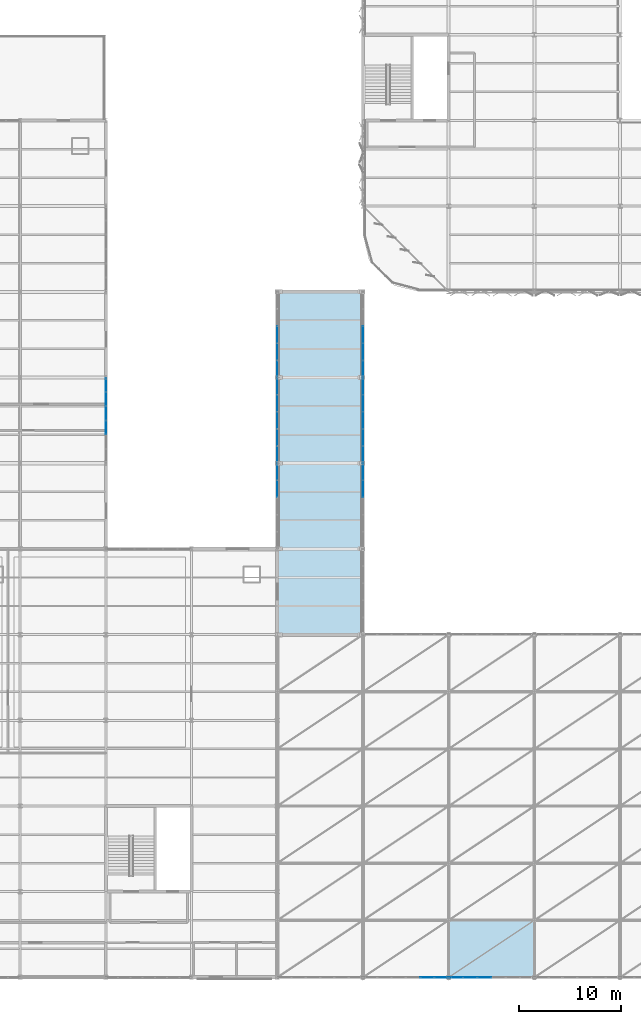
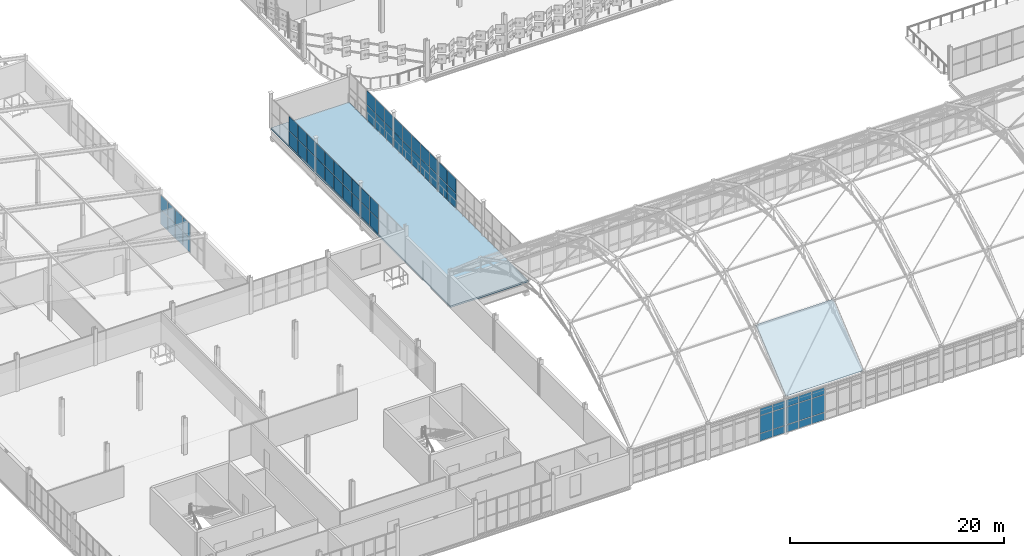
# One storey, part 137 of 184: 63 plates, 2 slabs, 10 elements without a shape of their own.
"""IFC4 building model written with IfcOpenShell, lengths in metres."""

from ifc_helpers import new_model, si_unit, direction, frame, origin, origin_2d, place, context, subcontext, project, spatial, polyline, rectangle, outline, extrude, material, layer, layer_set, type_object, element, aggregate, save


model = new_model("IFC4")

# Units and contexts
model_context = context("Model", 3, precision=1e-05, world=origin(), true_north=direction((0.0, 1.0)))
body_context = subcontext(model_context, "Body", "Model", "MODEL_VIEW")
ifc_project = project(units=[si_unit("LENGTHUNIT", "METRE"), si_unit("AREAUNIT", "SQUARE_METRE"), si_unit("VOLUMEUNIT", "CUBIC_METRE"), si_unit("PLANEANGLEUNIT", "RADIAN"), si_unit("MASSUNIT", "GRAM", prefix="KILO")], contexts=[model_context])

# Site, building, storey
site_placement = place(None, origin())
site = spatial("IfcSite", under=ifc_project, at=site_placement, CompositionType="ELEMENT")
building_placement = place(site_placement, origin())
building = spatial("IfcBuilding", under=site, at=building_placement, Name="Qalvenar Corner Mobility Hub", CompositionType="ELEMENT")
storey_placement = place(building_placement, frame((0.0, 0.0, 9.0)))
storey = spatial("IfcBuildingStorey", under=building, at=storey_placement, Name="L02", CompositionType="ELEMENT", Elevation=9.0)

# Curtain wall, plates
ifc_material_1 = material(Name="Anodised Aluminium and Low-E Glazing", Category="aluminium")
ifc_layer_1 = layer(ifc_material_1, 0.179931640625)
ifc_layer_set_1 = layer_set([ifc_layer_1], Name="Anodised Aluminium and Low-E Glazing")
curtain_wall_type_1 = type_object("IfcCurtainWallType", Name="CW-CONC-84X42", PredefinedType="NOTDEFINED", material=ifc_layer_set_1)
curtain_wall_1_placement = place(storey_placement, origin())
curtain_wall_1 = element("IfcCurtainWall", 1, at=curtain_wall_1_placement, inside=storey, type_object=curtain_wall_type_1, Name="Glazed Curtain Wall CW-V1-L02-S1", PredefinedType="NOTDEFINED")
ifc_material_2 = material(Name="Solar-Control Low-E Double Glazing", Category="glass")
ifc_layer_2 = layer(ifc_material_2, 0.028076171875)
ifc_layer_set_2 = layer_set([ifc_layer_2], Name="Solar-Control Low-E Double Glazing")
plate_type = type_object("IfcPlateType", Name="PLT-CWP-GLZ1", PredefinedType="CURTAIN_PANEL", material=ifc_layer_set_2)
plate_1_placement = place(storey_placement, frame((65.10009765625, 0.0, 0.05517578125), z_axis=(0.0, 0.0, 1.0), x_axis=(1.0, 0.0, 0.0)))
plate_1 = element("IfcPlate", 2, at=plate_1_placement, type_object=plate_type, Name="CW-02 panel 5.1", PredefinedType="CURTAIN_PANEL", context=body_context, shape_type="SweptSolid", body=[
    extrude(rectangle(XDim=1.340087890625, YDim=0.028076171875, at=origin_2d()), origin(), (0.0, 0.0, 1.0), 0.8173828125),
])
plate_2_placement = place(storey_placement, frame((65.10009765625, 0.0, 0.927490234375), z_axis=(0.0, 0.0, 1.0), x_axis=(1.0, 0.0, 0.0)))
plate_2 = element("IfcPlate", 3, at=plate_2_placement, type_object=plate_type, Name="CW-02 panel 5.2", PredefinedType="CURTAIN_PANEL", context=body_context, shape_type="SweptSolid", body=[
    extrude(rectangle(XDim=1.340087890625, YDim=0.028076171875, at=origin_2d()), origin(), (0.0, 0.0, 1.0), 1.9951171875),
])
plate_3_placement = place(storey_placement, frame((65.10009765625, 0.0, 2.9775390625), z_axis=(0.0, 0.0, 1.0), x_axis=(1.0, 0.0, 0.0)))
plate_3 = element("IfcPlate", 4, at=plate_3_placement, type_object=plate_type, Name="CW-02 panel 5.3", PredefinedType="CURTAIN_PANEL", context=body_context, shape_type="SweptSolid", body=[
    extrude(rectangle(XDim=1.340087890625, YDim=0.028076171875, at=origin_2d()), origin(), (0.0, 0.0, 1.0), 0.767578125),
])
plate_4_placement = place(storey_placement, frame((66.485107421875, 0.0, 0.05517578125), z_axis=(0.0, 0.0, 1.0), x_axis=(1.0, 0.0, 0.0)))
plate_4 = element("IfcPlate", 5, at=plate_4_placement, type_object=plate_type, Name="CW-02 panel 6.1", PredefinedType="CURTAIN_PANEL", context=body_context, shape_type="SweptSolid", body=[
    extrude(rectangle(XDim=1.31005859375, YDim=0.028076171875, at=origin_2d()), origin(), (0.0, 0.0, 1.0), 0.8173828125),
])
plate_5_placement = place(storey_placement, frame((66.485107421875, 0.0, 0.927490234375), z_axis=(0.0, 0.0, 1.0), x_axis=(1.0, 0.0, 0.0)))
plate_5 = element("IfcPlate", 6, at=plate_5_placement, type_object=plate_type, Name="CW-02 panel 6.2", PredefinedType="CURTAIN_PANEL", context=body_context, shape_type="SweptSolid", body=[
    extrude(rectangle(XDim=1.31005859375, YDim=0.028076171875, at=origin_2d()), origin(), (0.0, 0.0, 1.0), 1.9951171875),
])
plate_6_placement = place(storey_placement, frame((66.485107421875, 0.0, 2.9775390625), z_axis=(0.0, 0.0, 1.0), x_axis=(1.0, 0.0, 0.0)))
plate_6 = element("IfcPlate", 7, at=plate_6_placement, type_object=plate_type, Name="CW-02 panel 6.3", PredefinedType="CURTAIN_PANEL", context=body_context, shape_type="SweptSolid", body=[
    extrude(rectangle(XDim=1.31005859375, YDim=0.028076171875, at=origin_2d()), origin(), (0.0, 0.0, 1.0), 0.767578125),
])
aggregate(curtain_wall_1, [plate_1, plate_2, plate_3, plate_4, plate_5, plate_6])

curtain_wall_2_placement = place(storey_placement, origin())
curtain_wall_2 = element("IfcCurtainWall", 8, at=curtain_wall_2_placement, inside=storey, type_object=curtain_wall_type_1, Name="Glazed Curtain Wall CW-V1-L02-S2", PredefinedType="NOTDEFINED")
plate_7_placement = place(storey_placement, frame((67.9150390625, 0.0, 0.05517578125), z_axis=(0.0, 0.0, 1.0), x_axis=(1.0, 0.0, 0.0)))
plate_7 = element("IfcPlate", 9, at=plate_7_placement, type_object=plate_type, Name="CW-02 panel 1.1", PredefinedType="CURTAIN_PANEL", context=body_context, shape_type="SweptSolid", body=[
    extrude(rectangle(XDim=1.31005859375, YDim=0.028076171875, at=origin_2d()), origin(), (0.0, 0.0, 1.0), 0.8173828125),
])
plate_8_placement = place(storey_placement, frame((67.9150390625, 0.0, 0.927490234375), z_axis=(0.0, 0.0, 1.0), x_axis=(1.0, 0.0, 0.0)))
plate_8 = element("IfcPlate", 10, at=plate_8_placement, type_object=plate_type, Name="CW-02 panel 1.2", PredefinedType="CURTAIN_PANEL", context=body_context, shape_type="SweptSolid", body=[
    extrude(rectangle(XDim=1.31005859375, YDim=0.028076171875, at=origin_2d()), origin(), (0.0, 0.0, 1.0), 1.9951171875),
])
plate_9_placement = place(storey_placement, frame((67.9150390625, 0.0, 2.9775390625), z_axis=(0.0, 0.0, 1.0), x_axis=(1.0, 0.0, 0.0)))
plate_9 = element("IfcPlate", 11, at=plate_9_placement, type_object=plate_type, Name="CW-02 panel 1.3", PredefinedType="CURTAIN_PANEL", context=body_context, shape_type="SweptSolid", body=[
    extrude(rectangle(XDim=1.31005859375, YDim=0.028076171875, at=origin_2d()), origin(), (0.0, 0.0, 1.0), 0.767578125),
])
plate_10_placement = place(storey_placement, frame((69.300048828125, 0.0, 0.05517578125), z_axis=(0.0, 0.0, 1.0), x_axis=(1.0, 0.0, 0.0)))
plate_10 = element("IfcPlate", 12, at=plate_10_placement, type_object=plate_type, Name="CW-02 panel 2.1", PredefinedType="CURTAIN_PANEL", context=body_context, shape_type="SweptSolid", body=[
    extrude(rectangle(XDim=1.340087890625, YDim=0.028076171875, at=origin_2d()), origin(), (0.0, 0.0, 1.0), 0.8173828125),
])
plate_11_placement = place(storey_placement, frame((69.300048828125, 0.0, 0.927490234375), z_axis=(0.0, 0.0, 1.0), x_axis=(1.0, 0.0, 0.0)))
plate_11 = element("IfcPlate", 13, at=plate_11_placement, type_object=plate_type, Name="CW-02 panel 2.2", PredefinedType="CURTAIN_PANEL", context=body_context, shape_type="SweptSolid", body=[
    extrude(rectangle(XDim=1.340087890625, YDim=0.028076171875, at=origin_2d()), origin(), (0.0, 0.0, 1.0), 1.9951171875),
])
plate_12_placement = place(storey_placement, frame((69.300048828125, 0.0, 2.9775390625), z_axis=(0.0, 0.0, 1.0), x_axis=(1.0, 0.0, 0.0)))
plate_12 = element("IfcPlate", 14, at=plate_12_placement, type_object=plate_type, Name="CW-02 panel 2.3", PredefinedType="CURTAIN_PANEL", context=body_context, shape_type="SweptSolid", body=[
    extrude(rectangle(XDim=1.340087890625, YDim=0.028076171875, at=origin_2d()), origin(), (0.0, 0.0, 1.0), 0.767578125),
])
plate_13_placement = place(storey_placement, frame((70.699951171875, 0.0, 0.05517578125), z_axis=(0.0, 0.0, 1.0), x_axis=(1.0, 0.0, 0.0)))
plate_13 = element("IfcPlate", 15, at=plate_13_placement, type_object=plate_type, Name="CW-02 panel 3.1", PredefinedType="CURTAIN_PANEL", context=body_context, shape_type="SweptSolid", body=[
    extrude(rectangle(XDim=1.340087890625, YDim=0.028076171875, at=origin_2d()), origin(), (0.0, 0.0, 1.0), 0.8173828125),
])
plate_14_placement = place(storey_placement, frame((70.699951171875, 0.0, 0.927490234375), z_axis=(0.0, 0.0, 1.0), x_axis=(1.0, 0.0, 0.0)))
plate_14 = element("IfcPlate", 16, at=plate_14_placement, type_object=plate_type, Name="CW-02 panel 3.2", PredefinedType="CURTAIN_PANEL", context=body_context, shape_type="SweptSolid", body=[
    extrude(rectangle(XDim=1.340087890625, YDim=0.028076171875, at=origin_2d()), origin(), (0.0, 0.0, 1.0), 1.9951171875),
])
plate_15_placement = place(storey_placement, frame((70.699951171875, 0.0, 2.9775390625), z_axis=(0.0, 0.0, 1.0), x_axis=(1.0, 0.0, 0.0)))
plate_15 = element("IfcPlate", 17, at=plate_15_placement, type_object=plate_type, Name="CW-02 panel 3.3", PredefinedType="CURTAIN_PANEL", context=body_context, shape_type="SweptSolid", body=[
    extrude(rectangle(XDim=1.340087890625, YDim=0.028076171875, at=origin_2d()), origin(), (0.0, 0.0, 1.0), 0.767578125),
])
aggregate(curtain_wall_2, [plate_7, plate_8, plate_9, plate_10, plate_11, plate_12, plate_13, plate_14, plate_15])

ifc_layer_3 = layer(ifc_material_1, 0.14990234375)
ifc_layer_set_3 = layer_set([ifc_layer_3], Name="Anodised Aluminium and Low-E Glazing")
curtain_wall_type_2 = type_object("IfcCurtainWallType", Name="CW-CYC-84X39", PredefinedType="NOTDEFINED", material=ifc_layer_set_3)
curtain_wall_3_placement = place(storey_placement, origin())
curtain_wall_3 = element("IfcCurtainWall", 18, at=curtain_wall_3_placement, inside=storey, type_object=curtain_wall_type_2, Name="Glazed Curtain Wall CW-V5-L02-E1", PredefinedType="NOTDEFINED")
plate_16_placement = place(storey_placement, frame((33.60009765625, 53.89990234375, 0.054931640625), z_axis=(0.0, 0.0, 1.0), x_axis=(0.0, 1.0, 0.0)))
plate_16 = element("IfcPlate", 19, at=plate_16_placement, type_object=plate_type, Name="CW-08 panel 3.1", PredefinedType="CURTAIN_PANEL", context=body_context, shape_type="SweptSolid", body=[
    extrude(rectangle(XDim=1.340087890625, YDim=0.028076171875, at=origin_2d()), origin(), (0.0, 0.0, 1.0), 1.62255859375),
])
plate_17_placement = place(storey_placement, frame((33.60009765625, 53.89990234375, 1.732421875), z_axis=(0.0, 0.0, 1.0), x_axis=(0.0, 1.0, 0.0)))
plate_17 = element("IfcPlate", 20, at=plate_17_placement, type_object=plate_type, Name="CW-08 panel 3.2", PredefinedType="CURTAIN_PANEL", context=body_context, shape_type="SweptSolid", body=[
    extrude(rectangle(XDim=1.340087890625, YDim=0.028076171875, at=origin_2d()), origin(), (0.0, 0.0, 1.0), 1.62255859375),
])
plate_18_placement = place(storey_placement, frame((33.60009765625, 55.300048828125, 0.054931640625), z_axis=(0.0, 0.0, 1.0), x_axis=(0.0, 1.0, 0.0)))
plate_18 = element("IfcPlate", 21, at=plate_18_placement, type_object=plate_type, Name="CW-08 panel 4.1", PredefinedType="CURTAIN_PANEL", context=body_context, shape_type="SweptSolid", body=[
    extrude(rectangle(XDim=1.340087890625, YDim=0.028076171875, at=origin_2d()), origin(), (0.0, 0.0, 1.0), 1.62255859375),
])
plate_19_placement = place(storey_placement, frame((33.60009765625, 55.300048828125, 1.732421875), z_axis=(0.0, 0.0, 1.0), x_axis=(0.0, 1.0, 0.0)))
plate_19 = element("IfcPlate", 22, at=plate_19_placement, type_object=plate_type, Name="CW-08 panel 4.2", PredefinedType="CURTAIN_PANEL", context=body_context, shape_type="SweptSolid", body=[
    extrude(rectangle(XDim=1.340087890625, YDim=0.028076171875, at=origin_2d()), origin(), (0.0, 0.0, 1.0), 1.62255859375),
])
plate_20_placement = place(storey_placement, frame((33.60009765625, 56.699951171875, 0.054931640625), z_axis=(0.0, 0.0, 1.0), x_axis=(0.0, 1.0, 0.0)))
plate_20 = element("IfcPlate", 23, at=plate_20_placement, type_object=plate_type, Name="CW-08 panel 5.1", PredefinedType="CURTAIN_PANEL", context=body_context, shape_type="SweptSolid", body=[
    extrude(rectangle(XDim=1.340087890625, YDim=0.028076171875, at=origin_2d()), origin(), (0.0, 0.0, 1.0), 1.62255859375),
])
plate_21_placement = place(storey_placement, frame((33.60009765625, 56.699951171875, 1.732421875), z_axis=(0.0, 0.0, 1.0), x_axis=(0.0, 1.0, 0.0)))
plate_21 = element("IfcPlate", 24, at=plate_21_placement, type_object=plate_type, Name="CW-08 panel 5.2", PredefinedType="CURTAIN_PANEL", context=body_context, shape_type="SweptSolid", body=[
    extrude(rectangle(XDim=1.340087890625, YDim=0.028076171875, at=origin_2d()), origin(), (0.0, 0.0, 1.0), 1.62255859375),
])
plate_22_placement = place(storey_placement, frame((33.60009765625, 58.0849609375, 0.054931640625), z_axis=(0.0, 0.0, 1.0), x_axis=(0.0, 1.0, 0.0)))
plate_22 = element("IfcPlate", 25, at=plate_22_placement, type_object=plate_type, Name="CW-08 panel 6.1", PredefinedType="CURTAIN_PANEL", context=body_context, shape_type="SweptSolid", body=[
    extrude(rectangle(XDim=1.31005859375, YDim=0.028076171875, at=origin_2d()), origin(), (0.0, 0.0, 1.0), 1.62255859375),
])
plate_23_placement = place(storey_placement, frame((33.60009765625, 58.0849609375, 1.732421875), z_axis=(0.0, 0.0, 1.0), x_axis=(0.0, 1.0, 0.0)))
plate_23 = element("IfcPlate", 26, at=plate_23_placement, type_object=plate_type, Name="CW-08 panel 6.2", PredefinedType="CURTAIN_PANEL", context=body_context, shape_type="SweptSolid", body=[
    extrude(rectangle(XDim=1.31005859375, YDim=0.028076171875, at=origin_2d()), origin(), (0.0, 0.0, 1.0), 1.62255859375),
])
aggregate(curtain_wall_3, [plate_16, plate_17, plate_18, plate_19, plate_20, plate_21, plate_22, plate_23])

ifc_layer_4 = layer(ifc_material_1, 0.1201171875)
ifc_layer_set_4 = layer_set([ifc_layer_4], Name="Anodised Aluminium and Low-E Glazing")
curtain_wall_type_3 = type_object("IfcCurtainWallType", Name="CW-BRG-84X28", PredefinedType="NOTDEFINED", material=ifc_layer_set_4)
curtain_wall_4_placement = place(storey_placement, origin())
curtain_wall_4 = element("IfcCurtainWall", 27, at=curtain_wall_4_placement, inside=storey, type_object=curtain_wall_type_3, Name="Glazed Curtain Wall CW-BRG-L02-W1", PredefinedType="NOTDEFINED")
plate_24_placement = place(storey_placement, frame((50.39990234375, 49.544921875, 0.054931640625), z_axis=(0.0, 0.0, 1.0), x_axis=(0.0, -1.0, 0.0)))
plate_24 = element("IfcPlate", 28, at=plate_24_placement, type_object=plate_type, Name="CW-11 panel 1.1", PredefinedType="CURTAIN_PANEL", context=body_context, shape_type="SweptSolid", body=[
    extrude(rectangle(XDim=1.590087890625, YDim=0.028076171875, at=origin_2d()), origin(), (0.0, 0.0, 1.0), 1.642578125),
])
plate_25_placement = place(storey_placement, frame((50.39990234375, 49.544921875, 1.75244140625), z_axis=(0.0, 0.0, 1.0), x_axis=(0.0, -1.0, 0.0)))
plate_25 = element("IfcPlate", 29, at=plate_25_placement, type_object=plate_type, Name="CW-11 panel 1.2", PredefinedType="CURTAIN_PANEL", context=body_context, shape_type="SweptSolid", body=[
    extrude(rectangle(XDim=1.590087890625, YDim=0.028076171875, at=origin_2d()), origin(), (0.0, 0.0, 1.0), 1.642578125),
])
plate_26_placement = place(storey_placement, frame((50.39990234375, 47.8798828125, 0.054931640625), z_axis=(0.0, 0.0, 1.0), x_axis=(0.0, -1.0, 0.0)))
plate_26 = element("IfcPlate", 30, at=plate_26_placement, type_object=plate_type, Name="CW-11 panel 2.1", PredefinedType="CURTAIN_PANEL", context=body_context, shape_type="SweptSolid", body=[
    extrude(rectangle(XDim=1.6201171875, YDim=0.028076171875, at=origin_2d()), origin(), (0.0, 0.0, 1.0), 1.642578125),
])
plate_27_placement = place(storey_placement, frame((50.39990234375, 47.8798828125, 1.75244140625), z_axis=(0.0, 0.0, 1.0), x_axis=(0.0, -1.0, 0.0)))
plate_27 = element("IfcPlate", 31, at=plate_27_placement, type_object=plate_type, Name="CW-11 panel 2.2", PredefinedType="CURTAIN_PANEL", context=body_context, shape_type="SweptSolid", body=[
    extrude(rectangle(XDim=1.6201171875, YDim=0.028076171875, at=origin_2d()), origin(), (0.0, 0.0, 1.0), 1.642578125),
])
aggregate(curtain_wall_4, [plate_24, plate_25, plate_26, plate_27])

curtain_wall_5_placement = place(storey_placement, origin())
curtain_wall_5 = element("IfcCurtainWall", 32, at=curtain_wall_5_placement, inside=storey, type_object=curtain_wall_type_3, Name="Glazed Curtain Wall CW-BRG-L02-E1", PredefinedType="NOTDEFINED")
plate_28_placement = place(storey_placement, frame((58.800048828125, 47.8798828125, 0.054931640625), z_axis=(0.0, 0.0, 1.0), x_axis=(0.0, 1.0, 0.0)))
plate_28 = element("IfcPlate", 33, at=plate_28_placement, type_object=plate_type, Name="CW-11 panel 4.1", PredefinedType="CURTAIN_PANEL", context=body_context, shape_type="SweptSolid", body=[
    extrude(rectangle(XDim=1.6201171875, YDim=0.028076171875, at=origin_2d()), origin(), (0.0, 0.0, 1.0), 1.642578125),
])
plate_29_placement = place(storey_placement, frame((58.800048828125, 47.8798828125, 1.75244140625), z_axis=(0.0, 0.0, 1.0), x_axis=(0.0, 1.0, 0.0)))
plate_29 = element("IfcPlate", 34, at=plate_29_placement, type_object=plate_type, Name="CW-11 panel 4.2", PredefinedType="CURTAIN_PANEL", context=body_context, shape_type="SweptSolid", body=[
    extrude(rectangle(XDim=1.6201171875, YDim=0.028076171875, at=origin_2d()), origin(), (0.0, 0.0, 1.0), 1.642578125),
])
plate_30_placement = place(storey_placement, frame((58.800048828125, 49.544921875, 0.054931640625), z_axis=(0.0, 0.0, 1.0), x_axis=(0.0, 1.0, 0.0)))
plate_30 = element("IfcPlate", 35, at=plate_30_placement, type_object=plate_type, Name="CW-11 panel 5.1", PredefinedType="CURTAIN_PANEL", context=body_context, shape_type="SweptSolid", body=[
    extrude(rectangle(XDim=1.590087890625, YDim=0.028076171875, at=origin_2d()), origin(), (0.0, 0.0, 1.0), 1.642578125),
])
plate_31_placement = place(storey_placement, frame((58.800048828125, 49.544921875, 1.75244140625), z_axis=(0.0, 0.0, 1.0), x_axis=(0.0, 1.0, 0.0)))
plate_31 = element("IfcPlate", 36, at=plate_31_placement, type_object=plate_type, Name="CW-11 panel 5.2", PredefinedType="CURTAIN_PANEL", context=body_context, shape_type="SweptSolid", body=[
    extrude(rectangle(XDim=1.590087890625, YDim=0.028076171875, at=origin_2d()), origin(), (0.0, 0.0, 1.0), 1.642578125),
])
aggregate(curtain_wall_5, [plate_28, plate_29, plate_30, plate_31])

curtain_wall_6_placement = place(storey_placement, origin())
curtain_wall_6 = element("IfcCurtainWall", 37, at=curtain_wall_6_placement, inside=storey, type_object=curtain_wall_type_3, Name="Glazed Curtain Wall CW-BRG-L02-W2", PredefinedType="NOTDEFINED")
plate_32_placement = place(storey_placement, frame((50.39990234375, 57.945068359375, 0.054931640625), z_axis=(0.0, 0.0, 1.0), x_axis=(0.0, -1.0, 0.0)))
plate_32 = element("IfcPlate", 38, at=plate_32_placement, type_object=plate_type, Name="CW-11 panel 1.1", PredefinedType="CURTAIN_PANEL", context=body_context, shape_type="SweptSolid", body=[
    extrude(rectangle(XDim=1.590087890625, YDim=0.028076171875, at=origin_2d()), origin(), (0.0, 0.0, 1.0), 1.642578125),
])
plate_33_placement = place(storey_placement, frame((50.39990234375, 57.945068359375, 1.75244140625), z_axis=(0.0, 0.0, 1.0), x_axis=(0.0, -1.0, 0.0)))
plate_33 = element("IfcPlate", 39, at=plate_33_placement, type_object=plate_type, Name="CW-11 panel 1.2", PredefinedType="CURTAIN_PANEL", context=body_context, shape_type="SweptSolid", body=[
    extrude(rectangle(XDim=1.590087890625, YDim=0.028076171875, at=origin_2d()), origin(), (0.0, 0.0, 1.0), 1.642578125),
])
plate_34_placement = place(storey_placement, frame((50.39990234375, 56.280029296875, 0.054931640625), z_axis=(0.0, 0.0, 1.0), x_axis=(0.0, -1.0, 0.0)))
plate_34 = element("IfcPlate", 40, at=plate_34_placement, type_object=plate_type, Name="CW-11 panel 2.1", PredefinedType="CURTAIN_PANEL", context=body_context, shape_type="SweptSolid", body=[
    extrude(rectangle(XDim=1.6201171875, YDim=0.028076171875, at=origin_2d()), origin(), (0.0, 0.0, 1.0), 1.642578125),
])
plate_35_placement = place(storey_placement, frame((50.39990234375, 56.280029296875, 1.75244140625), z_axis=(0.0, 0.0, 1.0), x_axis=(0.0, -1.0, 0.0)))
plate_35 = element("IfcPlate", 41, at=plate_35_placement, type_object=plate_type, Name="CW-11 panel 2.2", PredefinedType="CURTAIN_PANEL", context=body_context, shape_type="SweptSolid", body=[
    extrude(rectangle(XDim=1.6201171875, YDim=0.028076171875, at=origin_2d()), origin(), (0.0, 0.0, 1.0), 1.642578125),
])
plate_36_placement = place(storey_placement, frame((50.39990234375, 54.60009765625, 0.054931640625), z_axis=(0.0, 0.0, 1.0), x_axis=(0.0, -1.0, 0.0)))
plate_36 = element("IfcPlate", 42, at=plate_36_placement, type_object=plate_type, Name="CW-11 panel 3.1", PredefinedType="CURTAIN_PANEL", context=body_context, shape_type="SweptSolid", body=[
    extrude(rectangle(XDim=1.6201171875, YDim=0.028076171875, at=origin_2d()), origin(), (0.0, 0.0, 1.0), 1.642578125),
])
plate_37_placement = place(storey_placement, frame((50.39990234375, 54.60009765625, 1.75244140625), z_axis=(0.0, 0.0, 1.0), x_axis=(0.0, -1.0, 0.0)))
plate_37 = element("IfcPlate", 43, at=plate_37_placement, type_object=plate_type, Name="CW-11 panel 3.2", PredefinedType="CURTAIN_PANEL", context=body_context, shape_type="SweptSolid", body=[
    extrude(rectangle(XDim=1.6201171875, YDim=0.028076171875, at=origin_2d()), origin(), (0.0, 0.0, 1.0), 1.642578125),
])
plate_38_placement = place(storey_placement, frame((50.39990234375, 52.919921875, 0.054931640625), z_axis=(0.0, 0.0, 1.0), x_axis=(0.0, -1.0, 0.0)))
plate_38 = element("IfcPlate", 44, at=plate_38_placement, type_object=plate_type, Name="CW-11 panel 4.1", PredefinedType="CURTAIN_PANEL", context=body_context, shape_type="SweptSolid", body=[
    extrude(rectangle(XDim=1.6201171875, YDim=0.028076171875, at=origin_2d()), origin(), (0.0, 0.0, 1.0), 1.642578125),
])
plate_39_placement = place(storey_placement, frame((50.39990234375, 52.919921875, 1.75244140625), z_axis=(0.0, 0.0, 1.0), x_axis=(0.0, -1.0, 0.0)))
plate_39 = element("IfcPlate", 45, at=plate_39_placement, type_object=plate_type, Name="CW-11 panel 4.2", PredefinedType="CURTAIN_PANEL", context=body_context, shape_type="SweptSolid", body=[
    extrude(rectangle(XDim=1.6201171875, YDim=0.028076171875, at=origin_2d()), origin(), (0.0, 0.0, 1.0), 1.642578125),
])
plate_40_placement = place(storey_placement, frame((50.39990234375, 51.2548828125, 0.054931640625), z_axis=(0.0, 0.0, 1.0), x_axis=(0.0, -1.0, 0.0)))
plate_40 = element("IfcPlate", 46, at=plate_40_placement, type_object=plate_type, Name="CW-11 panel 5.1", PredefinedType="CURTAIN_PANEL", context=body_context, shape_type="SweptSolid", body=[
    extrude(rectangle(XDim=1.590087890625, YDim=0.028076171875, at=origin_2d()), origin(), (0.0, 0.0, 1.0), 1.642578125),
])
plate_41_placement = place(storey_placement, frame((50.39990234375, 51.2548828125, 1.75244140625), z_axis=(0.0, 0.0, 1.0), x_axis=(0.0, -1.0, 0.0)))
plate_41 = element("IfcPlate", 47, at=plate_41_placement, type_object=plate_type, Name="CW-11 panel 5.2", PredefinedType="CURTAIN_PANEL", context=body_context, shape_type="SweptSolid", body=[
    extrude(rectangle(XDim=1.590087890625, YDim=0.028076171875, at=origin_2d()), origin(), (0.0, 0.0, 1.0), 1.642578125),
])
aggregate(curtain_wall_6, [plate_32, plate_33, plate_34, plate_35, plate_36, plate_37, plate_38, plate_39, plate_40, plate_41])

curtain_wall_7_placement = place(storey_placement, origin())
curtain_wall_7 = element("IfcCurtainWall", 48, at=curtain_wall_7_placement, inside=storey, type_object=curtain_wall_type_3, Name="Glazed Curtain Wall CW-BRG-L02-E2", PredefinedType="NOTDEFINED")
plate_42_placement = place(storey_placement, frame((58.800048828125, 51.2548828125, 0.054931640625), z_axis=(0.0, 0.0, 1.0), x_axis=(0.0, 1.0, 0.0)))
plate_42 = element("IfcPlate", 49, at=plate_42_placement, type_object=plate_type, Name="CW-11 panel 1.1", PredefinedType="CURTAIN_PANEL", context=body_context, shape_type="SweptSolid", body=[
    extrude(rectangle(XDim=1.590087890625, YDim=0.028076171875, at=origin_2d()), origin(), (0.0, 0.0, 1.0), 1.642578125),
])
plate_43_placement = place(storey_placement, frame((58.800048828125, 51.2548828125, 1.75244140625), z_axis=(0.0, 0.0, 1.0), x_axis=(0.0, 1.0, 0.0)))
plate_43 = element("IfcPlate", 50, at=plate_43_placement, type_object=plate_type, Name="CW-11 panel 1.2", PredefinedType="CURTAIN_PANEL", context=body_context, shape_type="SweptSolid", body=[
    extrude(rectangle(XDim=1.590087890625, YDim=0.028076171875, at=origin_2d()), origin(), (0.0, 0.0, 1.0), 1.642578125),
])
plate_44_placement = place(storey_placement, frame((58.800048828125, 52.919921875, 0.054931640625), z_axis=(0.0, 0.0, 1.0), x_axis=(0.0, 1.0, 0.0)))
plate_44 = element("IfcPlate", 51, at=plate_44_placement, type_object=plate_type, Name="CW-11 panel 2.1", PredefinedType="CURTAIN_PANEL", context=body_context, shape_type="SweptSolid", body=[
    extrude(rectangle(XDim=1.6201171875, YDim=0.028076171875, at=origin_2d()), origin(), (0.0, 0.0, 1.0), 1.642578125),
])
plate_45_placement = place(storey_placement, frame((58.800048828125, 52.919921875, 1.75244140625), z_axis=(0.0, 0.0, 1.0), x_axis=(0.0, 1.0, 0.0)))
plate_45 = element("IfcPlate", 52, at=plate_45_placement, type_object=plate_type, Name="CW-11 panel 2.2", PredefinedType="CURTAIN_PANEL", context=body_context, shape_type="SweptSolid", body=[
    extrude(rectangle(XDim=1.6201171875, YDim=0.028076171875, at=origin_2d()), origin(), (0.0, 0.0, 1.0), 1.642578125),
])
plate_46_placement = place(storey_placement, frame((58.800048828125, 54.60009765625, 0.054931640625), z_axis=(0.0, 0.0, 1.0), x_axis=(0.0, 1.0, 0.0)))
plate_46 = element("IfcPlate", 53, at=plate_46_placement, type_object=plate_type, Name="CW-11 panel 3.1", PredefinedType="CURTAIN_PANEL", context=body_context, shape_type="SweptSolid", body=[
    extrude(rectangle(XDim=1.6201171875, YDim=0.028076171875, at=origin_2d()), origin(), (0.0, 0.0, 1.0), 1.642578125),
])
plate_47_placement = place(storey_placement, frame((58.800048828125, 54.60009765625, 1.75244140625), z_axis=(0.0, 0.0, 1.0), x_axis=(0.0, 1.0, 0.0)))
plate_47 = element("IfcPlate", 54, at=plate_47_placement, type_object=plate_type, Name="CW-11 panel 3.2", PredefinedType="CURTAIN_PANEL", context=body_context, shape_type="SweptSolid", body=[
    extrude(rectangle(XDim=1.6201171875, YDim=0.028076171875, at=origin_2d()), origin(), (0.0, 0.0, 1.0), 1.642578125),
])
plate_48_placement = place(storey_placement, frame((58.800048828125, 56.280029296875, 0.054931640625), z_axis=(0.0, 0.0, 1.0), x_axis=(0.0, 1.0, 0.0)))
plate_48 = element("IfcPlate", 55, at=plate_48_placement, type_object=plate_type, Name="CW-11 panel 4.1", PredefinedType="CURTAIN_PANEL", context=body_context, shape_type="SweptSolid", body=[
    extrude(rectangle(XDim=1.6201171875, YDim=0.028076171875, at=origin_2d()), origin(), (0.0, 0.0, 1.0), 1.642578125),
])
plate_49_placement = place(storey_placement, frame((58.800048828125, 56.280029296875, 1.75244140625), z_axis=(0.0, 0.0, 1.0), x_axis=(0.0, 1.0, 0.0)))
plate_49 = element("IfcPlate", 56, at=plate_49_placement, type_object=plate_type, Name="CW-11 panel 4.2", PredefinedType="CURTAIN_PANEL", context=body_context, shape_type="SweptSolid", body=[
    extrude(rectangle(XDim=1.6201171875, YDim=0.028076171875, at=origin_2d()), origin(), (0.0, 0.0, 1.0), 1.642578125),
])
plate_50_placement = place(storey_placement, frame((58.800048828125, 57.945068359375, 0.054931640625), z_axis=(0.0, 0.0, 1.0), x_axis=(0.0, 1.0, 0.0)))
plate_50 = element("IfcPlate", 57, at=plate_50_placement, type_object=plate_type, Name="CW-11 panel 5.1", PredefinedType="CURTAIN_PANEL", context=body_context, shape_type="SweptSolid", body=[
    extrude(rectangle(XDim=1.590087890625, YDim=0.028076171875, at=origin_2d()), origin(), (0.0, 0.0, 1.0), 1.642578125),
])
plate_51_placement = place(storey_placement, frame((58.800048828125, 57.945068359375, 1.75244140625), z_axis=(0.0, 0.0, 1.0), x_axis=(0.0, 1.0, 0.0)))
plate_51 = element("IfcPlate", 58, at=plate_51_placement, type_object=plate_type, Name="CW-11 panel 5.2", PredefinedType="CURTAIN_PANEL", context=body_context, shape_type="SweptSolid", body=[
    extrude(rectangle(XDim=1.590087890625, YDim=0.028076171875, at=origin_2d()), origin(), (0.0, 0.0, 1.0), 1.642578125),
])
aggregate(curtain_wall_7, [plate_42, plate_43, plate_44, plate_45, plate_46, plate_47, plate_48, plate_49, plate_50, plate_51])

curtain_wall_8_placement = place(storey_placement, origin())
curtain_wall_8 = element("IfcCurtainWall", 59, at=curtain_wall_8_placement, inside=storey, type_object=curtain_wall_type_3, Name="Glazed Curtain Wall CW-BRG-L02-W3", PredefinedType="NOTDEFINED")
plate_52_placement = place(storey_placement, frame((50.39990234375, 63.0, 0.054931640625), z_axis=(0.0, 0.0, 1.0), x_axis=(0.0, -1.0, 0.0)))
plate_52 = element("IfcPlate", 60, at=plate_52_placement, type_object=plate_type, Name="CW-11 panel 3.1", PredefinedType="CURTAIN_PANEL", context=body_context, shape_type="SweptSolid", body=[
    extrude(rectangle(XDim=1.6201171875, YDim=0.028076171875, at=origin_2d()), origin(), (0.0, 0.0, 1.0), 1.642578125),
])
plate_53_placement = place(storey_placement, frame((50.39990234375, 63.0, 1.75244140625), z_axis=(0.0, 0.0, 1.0), x_axis=(0.0, -1.0, 0.0)))
plate_53 = element("IfcPlate", 61, at=plate_53_placement, type_object=plate_type, Name="CW-11 panel 3.2", PredefinedType="CURTAIN_PANEL", context=body_context, shape_type="SweptSolid", body=[
    extrude(rectangle(XDim=1.6201171875, YDim=0.028076171875, at=origin_2d()), origin(), (0.0, 0.0, 1.0), 1.642578125),
])
plate_54_placement = place(storey_placement, frame((50.39990234375, 61.320068359375, 0.054931640625), z_axis=(0.0, 0.0, 1.0), x_axis=(0.0, -1.0, 0.0)))
plate_54 = element("IfcPlate", 62, at=plate_54_placement, type_object=plate_type, Name="CW-11 panel 4.1", PredefinedType="CURTAIN_PANEL", context=body_context, shape_type="SweptSolid", body=[
    extrude(rectangle(XDim=1.6201171875, YDim=0.028076171875, at=origin_2d()), origin(), (0.0, 0.0, 1.0), 1.642578125),
])
plate_55_placement = place(storey_placement, frame((50.39990234375, 61.320068359375, 1.75244140625), z_axis=(0.0, 0.0, 1.0), x_axis=(0.0, -1.0, 0.0)))
plate_55 = element("IfcPlate", 63, at=plate_55_placement, type_object=plate_type, Name="CW-11 panel 4.2", PredefinedType="CURTAIN_PANEL", context=body_context, shape_type="SweptSolid", body=[
    extrude(rectangle(XDim=1.6201171875, YDim=0.028076171875, at=origin_2d()), origin(), (0.0, 0.0, 1.0), 1.642578125),
])
plate_56_placement = place(storey_placement, frame((50.39990234375, 59.655029296875, 0.054931640625), z_axis=(0.0, 0.0, 1.0), x_axis=(0.0, -1.0, 0.0)))
plate_56 = element("IfcPlate", 64, at=plate_56_placement, type_object=plate_type, Name="CW-11 panel 5.1", PredefinedType="CURTAIN_PANEL", context=body_context, shape_type="SweptSolid", body=[
    extrude(rectangle(XDim=1.590087890625, YDim=0.028076171875, at=origin_2d()), origin(), (0.0, 0.0, 1.0), 1.642578125),
])
plate_57_placement = place(storey_placement, frame((50.39990234375, 59.655029296875, 1.75244140625), z_axis=(0.0, 0.0, 1.0), x_axis=(0.0, -1.0, 0.0)))
plate_57 = element("IfcPlate", 65, at=plate_57_placement, type_object=plate_type, Name="CW-11 panel 5.2", PredefinedType="CURTAIN_PANEL", context=body_context, shape_type="SweptSolid", body=[
    extrude(rectangle(XDim=1.590087890625, YDim=0.028076171875, at=origin_2d()), origin(), (0.0, 0.0, 1.0), 1.642578125),
])
aggregate(curtain_wall_8, [plate_52, plate_53, plate_54, plate_55, plate_56, plate_57])

curtain_wall_9_placement = place(storey_placement, origin())
curtain_wall_9 = element("IfcCurtainWall", 66, at=curtain_wall_9_placement, inside=storey, type_object=curtain_wall_type_3, Name="Glazed Curtain Wall CW-BRG-L02-E3", PredefinedType="NOTDEFINED")
plate_58_placement = place(storey_placement, frame((58.800048828125, 59.655029296875, 0.054931640625), z_axis=(0.0, 0.0, 1.0), x_axis=(0.0, 1.0, 0.0)))
plate_58 = element("IfcPlate", 67, at=plate_58_placement, type_object=plate_type, Name="CW-11 panel 1.1", PredefinedType="CURTAIN_PANEL", context=body_context, shape_type="SweptSolid", body=[
    extrude(rectangle(XDim=1.590087890625, YDim=0.028076171875, at=origin_2d()), origin(), (0.0, 0.0, 1.0), 1.642578125),
])
plate_59_placement = place(storey_placement, frame((58.800048828125, 59.655029296875, 1.75244140625), z_axis=(0.0, 0.0, 1.0), x_axis=(0.0, 1.0, 0.0)))
plate_59 = element("IfcPlate", 68, at=plate_59_placement, type_object=plate_type, Name="CW-11 panel 1.2", PredefinedType="CURTAIN_PANEL", context=body_context, shape_type="SweptSolid", body=[
    extrude(rectangle(XDim=1.590087890625, YDim=0.028076171875, at=origin_2d()), origin(), (0.0, 0.0, 1.0), 1.642578125),
])
plate_60_placement = place(storey_placement, frame((58.800048828125, 61.320068359375, 0.054931640625), z_axis=(0.0, 0.0, 1.0), x_axis=(0.0, 1.0, 0.0)))
plate_60 = element("IfcPlate", 69, at=plate_60_placement, type_object=plate_type, Name="CW-11 panel 2.1", PredefinedType="CURTAIN_PANEL", context=body_context, shape_type="SweptSolid", body=[
    extrude(rectangle(XDim=1.6201171875, YDim=0.028076171875, at=origin_2d()), origin(), (0.0, 0.0, 1.0), 1.642578125),
])
plate_61_placement = place(storey_placement, frame((58.800048828125, 61.320068359375, 1.75244140625), z_axis=(0.0, 0.0, 1.0), x_axis=(0.0, 1.0, 0.0)))
plate_61 = element("IfcPlate", 70, at=plate_61_placement, type_object=plate_type, Name="CW-11 panel 2.2", PredefinedType="CURTAIN_PANEL", context=body_context, shape_type="SweptSolid", body=[
    extrude(rectangle(XDim=1.6201171875, YDim=0.028076171875, at=origin_2d()), origin(), (0.0, 0.0, 1.0), 1.642578125),
])
plate_62_placement = place(storey_placement, frame((58.800048828125, 63.0, 0.054931640625), z_axis=(0.0, 0.0, 1.0), x_axis=(0.0, 1.0, 0.0)))
plate_62 = element("IfcPlate", 71, at=plate_62_placement, type_object=plate_type, Name="CW-11 panel 3.1", PredefinedType="CURTAIN_PANEL", context=body_context, shape_type="SweptSolid", body=[
    extrude(rectangle(XDim=1.6201171875, YDim=0.028076171875, at=origin_2d()), origin(), (0.0, 0.0, 1.0), 1.642578125),
])
plate_63_placement = place(storey_placement, frame((58.800048828125, 63.0, 1.75244140625), z_axis=(0.0, 0.0, 1.0), x_axis=(0.0, 1.0, 0.0)))
plate_63 = element("IfcPlate", 72, at=plate_63_placement, type_object=plate_type, Name="CW-11 panel 3.2", PredefinedType="CURTAIN_PANEL", context=body_context, shape_type="SweptSolid", body=[
    extrude(rectangle(XDim=1.6201171875, YDim=0.028076171875, at=origin_2d()), origin(), (0.0, 0.0, 1.0), 1.642578125),
])
aggregate(curtain_wall_9, [plate_58, plate_59, plate_60, plate_61, plate_62, plate_63])

# Slab
ifc_material_3 = material(Name="Concrete C35/45", Category="concrete")
ifc_layer_5 = layer(ifc_material_3, 0.18994140625)
ifc_layer_set_5 = layer_set([ifc_layer_5], Name="Concrete C35/45")
slab_type_1 = type_object("IfcSlabType", Name="SLB-BRG190", PredefinedType="FLOOR", material=ifc_layer_set_5)
slab_1_placement = place(storey_placement, frame((0.0, 0.0, -0.18994140625)))
element("IfcSlab", 73, at=slab_1_placement, inside=storey, type_object=slab_type_1, Name="Composite Slab BRG-A-L02", PredefinedType="FLOOR", context=body_context, shape_type="SweptSolid", body=[
    extrude(outline(polyline([(50.39990234375, 33.60009765625), (58.800048828125, 33.60009765625), (58.800048828125, 67.199951171875), (50.39990234375, 67.199951171875), (50.39990234375, 33.60009765625)])), origin(), (0.0, 0.0, 1.0), 0.18994140625),
])

# Roof, slab
ifc_material_4 = material(Name="Steel S355", Category="steel")
roof_type = type_object("IfcRoofType", Name="ROOF-SPACEFRAME", PredefinedType="BARREL_ROOF", material=ifc_material_4)
roof_placement = place(storey_placement, origin())
roof = element("IfcRoof", 74, at=roof_placement, inside=storey, type_object=roof_type, Name="Volume 1 Bus Concourse Barrel Space-Frame Roof", PredefinedType="BARREL_ROOF")
ifc_material_5 = material(Name="Concrete C35/45", Category="concrete")
ifc_layer_6 = layer(ifc_material_5, 0.139892578125)
ifc_layer_set_6 = layer_set([ifc_layer_6], Name="Concrete C35/45")
slab_type_2 = type_object("IfcSlabType", Name="SLB-CAN140", PredefinedType="ROOF", material=ifc_layer_set_6)
slab_2_placement = place(storey_placement, frame((67.199951171875, 0.0, 4.199951171875), z_axis=(0.0, -0.64904710972, 0.760748216799), x_axis=(1.0, 0.0, 0.0)))
slab_2 = element("IfcSlab", 75, at=slab_2_placement, type_object=slab_type_2, Name="Space Frame Sloped Roof Deck RFS-3-1", PredefinedType="ROOF", context=body_context, shape_type="SweptSolid", body=[
    extrude(outline(polyline([(0.0, 0.0), (8.400146484375, 0.0), (8.400146484375, 7.361302376507519), (0.0, 7.361302376507519), (0.0, 0.0)])), origin(), (0.0, 0.0, -1.0), 0.139892578125),
])
aggregate(roof, [slab_2])

save(model, "model.ifc")
